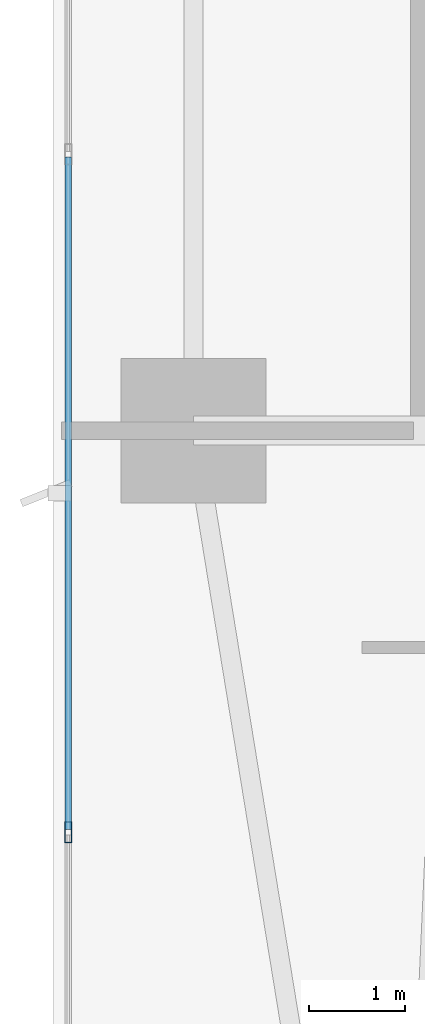
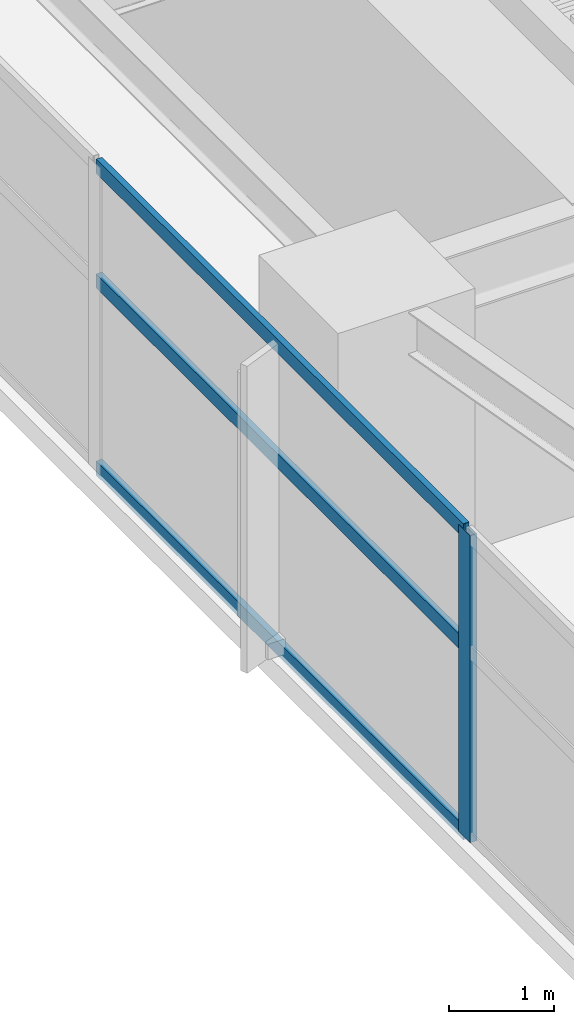
# One storey, part 4 of 30: 4 members, 1 element without a shape of its own.
"""IFC4 building model written with IfcOpenShell, lengths in metres."""

from ifc_helpers import new_model, si_unit, direction, frame, origin, origin_2d, place, context, subcontext, project, spatial, hollow_rectangle, extrude, material, layer, layer_set, material_profile, profile_set, type_object, element, aggregate, save


model = new_model("IFC4")

# Units and contexts
model_context = context("Model", 3, precision=1e-05, world=origin(), true_north=direction((0.0, 1.0)))
body_context = subcontext(model_context, "Body", "Model", "MODEL_VIEW")
ifc_project = project(units=[si_unit("LENGTHUNIT", "METRE"), si_unit("AREAUNIT", "SQUARE_METRE"), si_unit("VOLUMEUNIT", "CUBIC_METRE"), si_unit("PLANEANGLEUNIT", "RADIAN"), si_unit("MASSUNIT", "GRAM", prefix="KILO")], contexts=[model_context])

# Site, building, storey
site_placement = place(None, origin())
site = spatial("IfcSite", under=ifc_project, at=site_placement, CompositionType="ELEMENT")
building_placement = place(site_placement, origin())
building = spatial("IfcBuilding", under=site, at=building_placement, Name="Calvorn Quay Hotel", CompositionType="ELEMENT")
storey_placement = place(building_placement, frame((0.0, 0.0, 50.800048828125)))
storey = spatial("IfcBuildingStorey", under=building, at=storey_placement, Name="L11", CompositionType="ELEMENT", Elevation=50.800048828125)

# Curtain wall, members
ifc_material_1 = material(Name="Pale Anodised Aluminium and Low-E Glass", Category="aluminium")
ifc_layer = layer(ifc_material_1, 0.219970703125)
ifc_layer_set = layer_set([ifc_layer], Name="CW-SYS-Z1")
curtain_wall_type = type_object("IfcCurtainWallType", Name="CW-SYS-Z1", PredefinedType="NOTDEFINED", material=ifc_layer_set)
curtain_wall_placement = place(storey_placement, origin())
curtain_wall = element("IfcCurtainWall", 1, at=curtain_wall_placement, inside=storey, type_object=curtain_wall_type, Name="Tower West Curtain Wall (L11)", PredefinedType="NOTDEFINED")
ifc_material_2 = material(Name="Pale Anodised Aluminium 6063-T6", Category="aluminium")
ifc_material_profile_1 = material_profile(ifc_material_2, hollow_rectangle(XDim=0.074951171875, YDim=0.219970703125, WallThickness=0.00439453125, at=origin_2d()), Name="ALU-M220x75x4.5")
ifc_profile_set_1 = profile_set([ifc_material_profile_1], Name="Pale Anodised Aluminium 6063-T6")
member_type_1 = type_object("IfcMemberType", Name="CW-SYS-Z1-MUL", PredefinedType="MULLION", material=ifc_profile_set_1)
member_1_placement = place(storey_placement, frame((0.14990234375, 12.63330078125, 0.0), z_axis=(0.0, 0.0, 1.0), x_axis=(-1.0, 0.0, 0.0)))
member_1 = element("IfcMember", 2, at=member_1_placement, type_object=member_type_1, Name="CW-L11-W mullion 2", PredefinedType="MULLION", context=body_context, shape_type="SweptSolid", body=[
    extrude(hollow_rectangle(XDim=0.074951171875, YDim=0.219970703125, WallThickness=0.00439453125, at=origin_2d()), origin(), (0.0, 0.0, 1.0), 3.56005859375),
])
ifc_material_3 = material(Name="Pale Anodised Aluminium 6063-T6", Category="aluminium")
ifc_material_profile_2 = material_profile(ifc_material_3, hollow_rectangle(XDim=0.06494140625, YDim=0.1650390625, WallThickness=0.00341796875, at=origin_2d()), Name="ALU-T165x65x3.5")
ifc_profile_set_2 = profile_set([ifc_material_profile_2], Name="Pale Anodised Aluminium 6063-T6")
member_type_2 = type_object("IfcMemberType", Name="CW-SYS-Z1-TRN", PredefinedType="USERDEFINED", material=ifc_profile_set_2)
member_2_placement = place(storey_placement, frame((0.14990234375, 12.663330078125, 0.030029296875), z_axis=(0.0, 1.0, 0.0), x_axis=(-1.0, 0.0, 0.0)))
member_2 = element("IfcMember", 3, at=member_2_placement, type_object=member_type_2, Name="CW-L11-W transom 2.1", ObjectType="TRANSOM", PredefinedType="USERDEFINED", context=body_context, shape_type="SweptSolid", body=[
    extrude(hollow_rectangle(XDim=0.06494140625, YDim=0.1650390625, WallThickness=0.00341796875, at=origin_2d()), origin(), (0.0, 0.0, 1.0), 6.973388671875),
])
member_3_placement = place(storey_placement, frame((0.14990234375, 12.663330078125, 2.199951171875), z_axis=(0.0, 1.0, 0.0), x_axis=(-1.0, 0.0, 0.0)))
member_3 = element("IfcMember", 4, at=member_3_placement, type_object=member_type_2, Name="CW-L11-W transom 2.2", ObjectType="TRANSOM", PredefinedType="USERDEFINED", context=body_context, shape_type="SweptSolid", body=[
    extrude(hollow_rectangle(XDim=0.06494140625, YDim=0.1650390625, WallThickness=0.00341796875, at=origin_2d()), origin(), (0.0, 0.0, 1.0), 6.973388671875),
])
member_4_placement = place(storey_placement, frame((0.14990234375, 12.663330078125, 3.530029296875), z_axis=(0.0, 1.0, 0.0), x_axis=(-1.0, 0.0, 0.0)))
member_4 = element("IfcMember", 5, at=member_4_placement, type_object=member_type_2, Name="CW-L11-W transom 2.3", ObjectType="TRANSOM", PredefinedType="USERDEFINED", context=body_context, shape_type="SweptSolid", body=[
    extrude(hollow_rectangle(XDim=0.06494140625, YDim=0.1650390625, WallThickness=0.00341796875, at=origin_2d()), origin(), (0.0, 0.0, 1.0), 6.973388671875),
])
aggregate(curtain_wall, [member_1, member_2, member_3, member_4])

save(model, "model.ifc")
